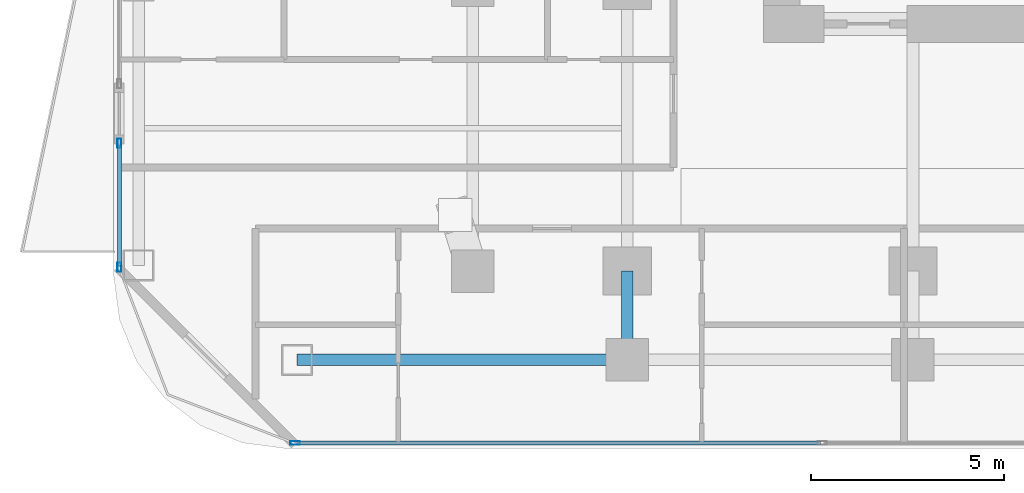
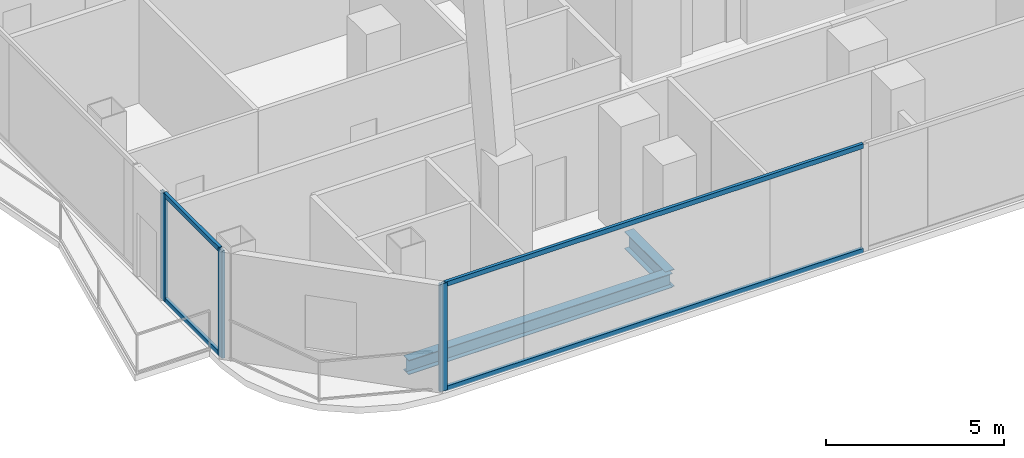
# One storey, part 2 of 32: 7 members, 2 beams, 2 elements without a shape of their own.
"""IFC4 building model written with IfcOpenShell, lengths in metres."""

from ifc_helpers import new_model, si_unit, direction, frame, origin, origin_2d, place, context, subcontext, project, spatial, hollow_rectangle, i_section, extrude, material, layer, layer_set, material_profile, profile_set, type_object, element, aggregate, save


model = new_model("IFC4")

# Units and contexts
model_context = context("Model", 3, precision=1e-05, world=origin(), true_north=direction((0.0, 1.0)))
body_context = subcontext(model_context, "Body", "Model", "MODEL_VIEW")
ifc_project = project(units=[si_unit("LENGTHUNIT", "METRE"), si_unit("AREAUNIT", "SQUARE_METRE"), si_unit("VOLUMEUNIT", "CUBIC_METRE"), si_unit("PLANEANGLEUNIT", "RADIAN"), si_unit("MASSUNIT", "GRAM", prefix="KILO")], contexts=[model_context])

# Site, building, storey
site_placement = place(None, origin())
site = spatial("IfcSite", under=ifc_project, at=site_placement, CompositionType="ELEMENT")
building_placement = place(site_placement, origin())
building = spatial("IfcBuilding", under=site, at=building_placement, Name="Khorvyn Point Tower", CompositionType="ELEMENT")
storey_placement = place(building_placement, frame((0.0, 0.0, 93.0)))
storey = spatial("IfcBuildingStorey", under=building, at=storey_placement, Name="L23", CompositionType="ELEMENT", Elevation=93.0)

# Curtain wall, member
ifc_material_1 = material(Name="Anodised aluminium 6063-T6 and laminated Low-E glass", Category="aluminium")
ifc_layer = layer(ifc_material_1, 0.18994140625)
ifc_layer_set = layer_set([ifc_layer], Name="Stick-Built Finned Residential Curtain Wall CW-SYS-02")
curtain_wall_type = type_object("IfcCurtainWallType", Name="Stick-Built Finned Residential Curtain Wall CW-SYS-02", PredefinedType="NOTDEFINED", material=ifc_layer_set)
curtain_wall_1_placement = place(storey_placement, origin())
curtain_wall_1 = element("IfcCurtainWall", 1, at=curtain_wall_1_placement, inside=storey, type_object=curtain_wall_type, Name="Curtain Wall", PredefinedType="NOTDEFINED")
ifc_material_2 = material(Name="Anodised aluminium 6063-T6", Category="aluminium")
ifc_material_profile_1 = material_profile(ifc_material_2, hollow_rectangle(XDim=0.10009765625, YDim=0.239990234375, WallThickness=0.0048828125, at=origin_2d()))
ifc_profile_set_1 = profile_set([ifc_material_profile_1], Name="Anodised aluminium 6063-T6 ALU-MUL-100x240")
member_type_1 = type_object("IfcMemberType", Name="Anodised Aluminium 6063-T6 Mullion ALU-MUL-100x240", PredefinedType="MULLION", material=ifc_profile_set_1)
member_1_placement = place(storey_placement, frame((-23.39990234375, -19.25, 0.0), z_axis=(0.0, 0.0, 1.0), x_axis=(0.0, -1.0, 0.0)))
member_1 = element("IfcMember", 2, at=member_1_placement, type_object=member_type_1, Name="Transom", PredefinedType="MULLION", context=body_context, shape_type="SweptSolid", body=[
    extrude(hollow_rectangle(XDim=0.10009765625, YDim=0.239990234375, WallThickness=0.0048828125, at=origin_2d()), origin(), (0.0, 0.0, 1.0), 3.679931640625),
])

# Curtain wall, members
curtain_wall_2_placement = place(storey_placement, origin())
curtain_wall_2 = element("IfcCurtainWall", 3, at=curtain_wall_2_placement, inside=storey, type_object=curtain_wall_type, Name="Curtain Wall", PredefinedType="NOTDEFINED")
member_2_placement = place(storey_placement, frame((-27.949951171875, -14.699951171875, 0.0), z_axis=(0.0, 0.0, 1.0), x_axis=(-1.0, 0.0, 0.0)))
member_2 = element("IfcMember", 4, at=member_2_placement, type_object=member_type_1, Name="Transom", PredefinedType="MULLION", context=body_context, shape_type="SweptSolid", body=[
    extrude(hollow_rectangle(XDim=0.10009765625, YDim=0.239990234375, WallThickness=0.0048828125, at=origin_2d()), origin(), (0.0, 0.0, 1.0), 3.679931640625),
])
member_3_placement = place(storey_placement, frame((-27.949951171875, -11.489990234375, 0.0), z_axis=(0.0, 0.0, 1.0), x_axis=(-1.0, 0.0, 0.0)))
member_3 = element("IfcMember", 5, at=member_3_placement, type_object=member_type_1, Name="Transom", PredefinedType="MULLION", context=body_context, shape_type="SweptSolid", body=[
    extrude(hollow_rectangle(XDim=0.10009765625, YDim=0.239990234375, WallThickness=0.0048828125, at=origin_2d()), origin(), (0.0, 0.0, 1.0), 3.679931640625),
])

# Member
ifc_material_profile_2 = material_profile(ifc_material_2, hollow_rectangle(XDim=0.10009765625, YDim=0.159912109375, WallThickness=0.00439453125, at=origin_2d()))
ifc_profile_set_2 = profile_set([ifc_material_profile_2], Name="Anodised aluminium 6063-T6 ALU-TRN-100x160")
member_type_2 = type_object("IfcMemberType", Name="Anodised Aluminium 6063-T6 Transom ALU-TRN-100x160", PredefinedType="USERDEFINED", material=ifc_profile_set_2)
member_4_placement = place(storey_placement, frame((-9.800048828125, -19.25, 0.050048828125), z_axis=(-1.0, 0.0, 0.0), x_axis=(0.0, -1.0, 0.0)))
member_4 = element("IfcMember", 6, at=member_4_placement, type_object=member_type_2, Name="Transom", ObjectType="TRANSOM", PredefinedType="USERDEFINED", context=body_context, shape_type="SweptSolid", body=[
    extrude(hollow_rectangle(XDim=0.10009765625, YDim=0.159912109375, WallThickness=0.00439453125, at=origin_2d()), origin(), (0.0, 0.0, 1.0), 13.550048828125),
])

member_5_placement = place(storey_placement, frame((-9.800048828125, -19.25, 3.6298828125), z_axis=(-1.0, 0.0, 0.0), x_axis=(0.0, -1.0, 0.0)))
member_5 = element("IfcMember", 7, at=member_5_placement, type_object=member_type_2, Name="Transom", ObjectType="TRANSOM", PredefinedType="USERDEFINED", context=body_context, shape_type="SweptSolid", body=[
    extrude(hollow_rectangle(XDim=0.10009765625, YDim=0.159912109375, WallThickness=0.00439453125, at=origin_2d()), origin(), (0.0, 0.0, 1.0), 13.550048828125),
])

aggregate(curtain_wall_1, [member_1, member_4, member_5])

member_6_placement = place(storey_placement, frame((-27.949951171875, -14.64990234375, 0.050048828125), z_axis=(0.0, 1.0, 0.0), x_axis=(-1.0, 0.0, 0.0)))
member_6 = element("IfcMember", 8, at=member_6_placement, type_object=member_type_2, Name="Transom", ObjectType="TRANSOM", PredefinedType="USERDEFINED", context=body_context, shape_type="SweptSolid", body=[
    extrude(hollow_rectangle(XDim=0.10009765625, YDim=0.159912109375, WallThickness=0.00439453125, at=origin_2d()), origin(), (0.0, 0.0, 1.0), 3.10986328125),
])

member_7_placement = place(storey_placement, frame((-27.949951171875, -14.64990234375, 3.6298828125), z_axis=(0.0, 1.0, 0.0), x_axis=(-1.0, 0.0, 0.0)))
member_7 = element("IfcMember", 9, at=member_7_placement, type_object=member_type_2, Name="Transom", ObjectType="TRANSOM", PredefinedType="USERDEFINED", context=body_context, shape_type="SweptSolid", body=[
    extrude(hollow_rectangle(XDim=0.10009765625, YDim=0.159912109375, WallThickness=0.00439453125, at=origin_2d()), origin(), (0.0, 0.0, 1.0), 3.10986328125),
])

aggregate(curtain_wall_2, [member_2, member_3, member_6, member_7])

# Beams
ifc_material_3 = material(Name="Steel S355", Category="steel")
ifc_material_profile_3 = material_profile(ifc_material_3, i_section(OverallWidth=0.300048828125, OverallDepth=0.587890625, WebThickness=0.011962890625, FlangeThickness=0.02001953125, at=origin_2d()))
ifc_profile_set_3 = profile_set([ifc_material_profile_3], Name="Steel S355 H588x300x12x20")
beam_type_1 = type_object("IfcBeamType", Name="Steel S355 Beam H588x300x12x20", PredefinedType="BEAM", material=ifc_profile_set_3)
beam_1_placement = place(storey_placement, frame((-14.800048828125, -17.10009765625, -0.513916015625), z_axis=(0.0, 1.0, 0.0), x_axis=(-1.0, 0.0, 0.0)))
element("IfcBeam", 10, at=beam_1_placement, inside=storey, type_object=beam_type_1, Name="Beam", PredefinedType="BEAM", context=body_context, shape_type="SweptSolid", body=[
    extrude(i_section(OverallWidth=0.300048828125, OverallDepth=0.587890625, WebThickness=0.011962890625, FlangeThickness=0.02001953125, at=origin_2d()), origin(), (0.0, 0.0, 1.0), 2.300048828125),
])
ifc_material_profile_4 = material_profile(ifc_material_3, i_section(OverallWidth=0.300048828125, OverallDepth=0.488037109375, WebThickness=0.010986328125, FlangeThickness=0.01806640625, at=origin_2d()))
ifc_profile_set_4 = profile_set([ifc_material_profile_4], Name="Steel S355 H488x300x11x18")
beam_type_2 = type_object("IfcBeamType", Name="Steel S355 Spandrel H488x300x11x18", PredefinedType="SPANDREL", material=ifc_profile_set_4)
beam_2_placement = place(storey_placement, frame((-23.35009765625, -17.10009765625, -0.464111328125), z_axis=(1.0, 0.0, 0.0), x_axis=(0.0, 1.0, 0.0)))
element("IfcBeam", 11, at=beam_2_placement, inside=storey, type_object=beam_type_2, Name="Beam", PredefinedType="SPANDREL", context=body_context, shape_type="SweptSolid", body=[
    extrude(i_section(OverallWidth=0.300048828125, OverallDepth=0.488037109375, WebThickness=0.010986328125, FlangeThickness=0.01806640625, at=origin_2d()), origin(), (0.0, 0.0, 1.0), 8.550048828125),
])

save(model, "model.ifc")
